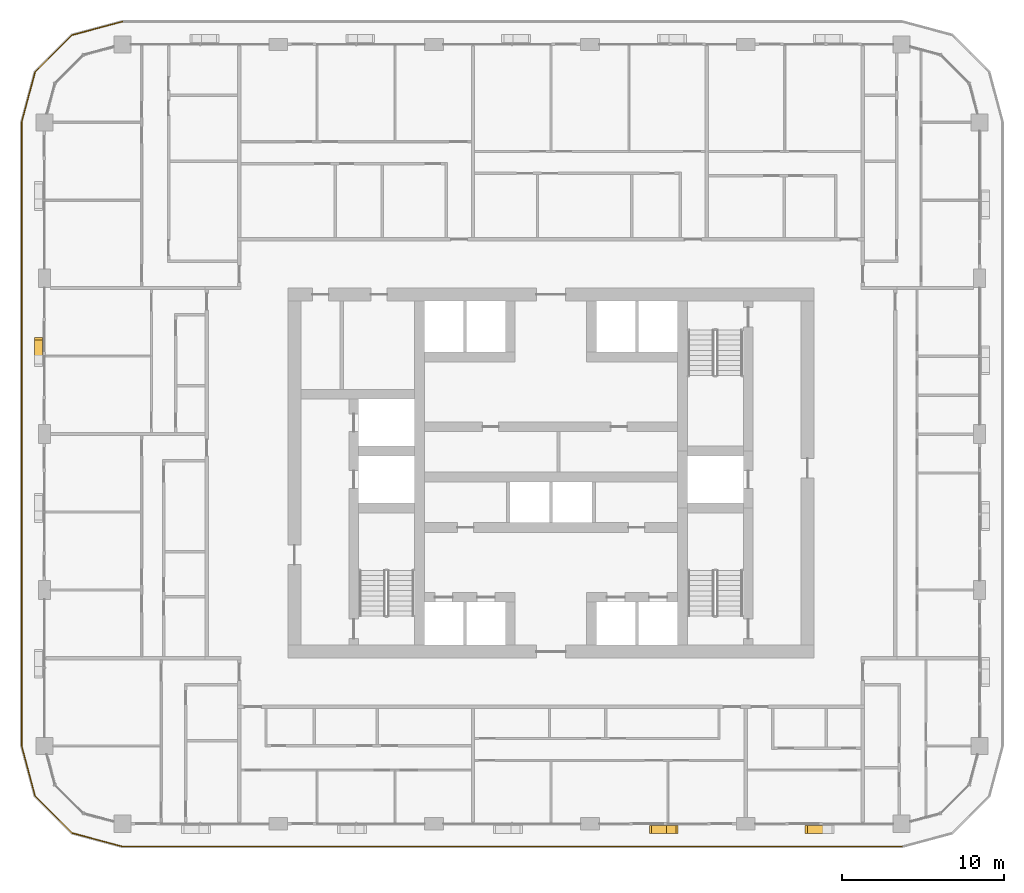
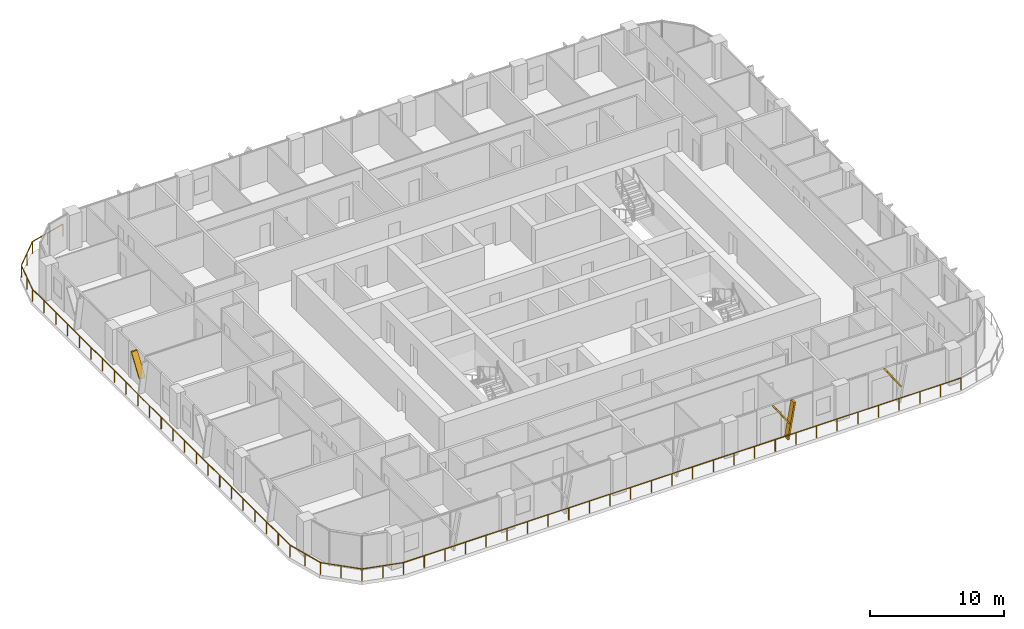
# One storey, part 18 of 22: 4 shading devices, 1 railing.
"""IFC4 building model written with IfcOpenShell, lengths in metres."""

import ifcopenshell
import ifcopenshell.guid

model = None  # the IFC model being written
_history = None  # IfcOwnerHistory: only IFC2X3 demands one
_inside = {}  # id of a spatial element -> (the spatial element, [elements in it])
_under = {}  # id of a project, library or spatial element -> (it, [spatial elements below it])
_declared = {}  # id of a project -> (the project, [libraries it declares])
_typed = {}  # id of a type object -> (the type object, [elements of that type])
_made_of = {}  # id of a material, layer set ... -> (it, [elements and type objects made of it])


def new_model(schema):
    """Start an empty IFC model of exactly this schema.

    Asked for "IFC4X3", IfcOpenShell would pick the latest addendum, in which some entities
    have other attributes; the version numbers below select the first issue.
    IFC2X3 requires an IfcOwnerHistory on every rooted entity: one is made here for all.
    """
    global model, _history
    if schema == "IFC4X3":
        model = ifcopenshell.file(schema_version=(4, 3, 0, 0))
    else:
        model = ifcopenshell.file(schema=schema)
    _inside.clear()
    _under.clear()
    _declared.clear()
    _typed.clear()
    _made_of.clear()
    _history = None
    if model.schema == "IFC2X3":
        org = make("IfcOrganization", Name="unknown")
        user = make(
            "IfcPersonAndOrganization",
            ThePerson=make("IfcPerson", FamilyName="unknown"),
            TheOrganization=org,
        )
        app = make(
            "IfcApplication",
            ApplicationDeveloper=org,
            Version="unknown",
            ApplicationFullName="unknown",
            ApplicationIdentifier="unknown",
        )
        _history = make(
            "IfcOwnerHistory",
            OwningUser=user,
            OwningApplication=app,
            ChangeAction="ADDED",
            CreationDate=0,
        )
    return model


def make(cls, **values):
    """One entity of the class cls with the attributes given. An attribute that is None is left unset."""
    return model.create_entity(
        cls, **{name: value for name, value in values.items() if value is not None}
    )


def rooted(cls, **values):
    """An entity with a GlobalId (a new one), such as an element, a storey or a relation."""
    return make(cls, GlobalId=ifcopenshell.guid.new(), OwnerHistory=_history, **values)


def si_unit(unit_type, name, prefix=None):
    """IfcSIUnit, for example si_unit("LENGTHUNIT", "METRE", prefix="MILLI")."""
    return make("IfcSIUnit", UnitType=unit_type, Prefix=prefix, Name=name)


def assignment(units):
    """IfcUnitAssignment: the units of a project."""
    return None if units is None else make("IfcUnitAssignment", Units=units)


def point(xyz):
    """IfcCartesianPoint."""
    return None if xyz is None else make("IfcCartesianPoint", Coordinates=xyz)


def direction(xyz):
    """IfcDirection."""
    return None if xyz is None else make("IfcDirection", DirectionRatios=xyz)


def frame(location, z_axis=None, x_axis=None):
    """IfcAxis2Placement3D, a coordinate frame: its origin and axes. An axis left out is left unset."""
    return make(
        "IfcAxis2Placement3D",
        Location=point(location),
        Axis=direction(z_axis),
        RefDirection=direction(x_axis),
    )


def frame_2d(location, x_axis=None):
    """IfcAxis2Placement2D, a coordinate frame in the plane: its origin and x axis."""
    return make(
        "IfcAxis2Placement2D", Location=point(location), RefDirection=direction(x_axis)
    )


def origin():
    """The frame at (0, 0, 0) with its axes left unset."""
    return frame((0.0, 0.0, 0.0))


def origin_2d():
    """The frame at (0, 0) in the plane with its x axis left unset."""
    return frame_2d((0.0, 0.0))


def place(relative_to, where):
    """IfcLocalPlacement: puts the frame where relative to a parent placement (None: the world)."""
    return make(
        "IfcLocalPlacement", PlacementRelTo=relative_to, RelativePlacement=where
    )


def context(
    kind, dimensions, precision=None, world=None, true_north=None, identifier=None
):
    """IfcGeometricRepresentationContext, for example the 3D "Model" context."""
    return make(
        "IfcGeometricRepresentationContext",
        ContextIdentifier=identifier,
        ContextType=kind,
        CoordinateSpaceDimension=dimensions,
        Precision=precision,
        WorldCoordinateSystem=world,
        TrueNorth=true_north,
    )


def subcontext(parent, identifier, kind, view, scale=None):
    """IfcGeometricRepresentationSubContext, for example "Body" below "Model"."""
    return make(
        "IfcGeometricRepresentationSubContext",
        ContextIdentifier=identifier,
        ContextType=kind,
        ParentContext=parent,
        TargetScale=scale,
        TargetView=view,
    )


def project(units=None, contexts=None):
    """IfcProject with its units and contexts."""
    return rooted(
        "IfcProject",
        Name="project",
        RepresentationContexts=contexts,
        UnitsInContext=assignment(units),
    )


def spatial(cls, under=None, at=None, **own):
    """A site, building, storey or space (cls), placed at a placement, below another one or the project."""
    s = rooted(cls, ObjectPlacement=at, **own)
    if under is not None:
        _under.setdefault(under.id(), (under, []))[1].append(s)
    return s


def polyline(points):
    """IfcPolyline through the points."""
    return make("IfcPolyline", Points=[point(p) for p in points])


def profile(cls, at=None, kind="AREA", **sizes):
    """A parametric profile (cls). Its sizes go by their IFC names, for example OverallWidth=200.0."""
    return make(cls, ProfileType=kind, Position=at, **sizes)


def circle(**sizes):
    """IfcCircleProfileDef."""
    return profile("IfcCircleProfileDef", **sizes)


def outline(outer, holes=None, kind="AREA"):
    """IfcArbitraryClosedProfileDef: a profile drawn as a closed curve; with holes, ...WithVoids."""
    if holes is None:
        return make("IfcArbitraryClosedProfileDef", ProfileType=kind, OuterCurve=outer)
    return make(
        "IfcArbitraryProfileDefWithVoids",
        ProfileType=kind,
        OuterCurve=outer,
        InnerCurves=holes,
    )


def extrude(swept, where, along, depth):
    """IfcExtrudedAreaSolid: the profile swept, set in the frame where, extruded along a direction by depth."""
    return make(
        "IfcExtrudedAreaSolid",
        SweptArea=swept,
        Position=where,
        ExtrudedDirection=direction(along),
        Depth=depth,
    )


def shape(context_of_items, identifier, shape_type, items):
    """IfcShapeRepresentation: the items that make up one representation, for example the "Body"."""
    return make(
        "IfcShapeRepresentation",
        ContextOfItems=context_of_items,
        RepresentationIdentifier=identifier,
        RepresentationType=shape_type,
        Items=items,
    )


def material(Name=None, Category=None):
    """IfcMaterial."""
    return make("IfcMaterial", Name=Name, Category=Category)


def made_of(thing, what):
    """Note that an element or type object is made of a material, layer set ...; save() writes the relation."""
    if what is not None:
        _made_of.setdefault(what.id(), (what, []))[1].append(thing)
    return thing


def type_object(cls, material=None, **own):
    """A type object (cls), such as IfcWallType, which elements share."""
    return made_of(rooted(cls, **own), material)


def element(
    cls,
    number,
    at=None,
    inside=None,
    cuts=None,
    type_object=None,
    material=None,
    context=None,
    identifier="Body",
    shape_type=None,
    held_by="IfcProductDefinitionShape",
    body=None,
    shapes=None,
    **own,
):
    """One element of the class cls, such as IfcWall. Its Tag is "e" and its number.

    at: its placement. inside: the storey or other place that contains it. cuts: it is an
    opening in that element (IfcRelVoidsElement). A single representation is given by context,
    identifier, shape_type and body (its items); several are given by shapes. held_by: the class
    of the entity that holds the representations. save() writes the other relations.
    """
    e = rooted(cls, Tag="e%d" % number, ObjectPlacement=at, **own)
    if body is not None:
        shapes = [shape(context, identifier, shape_type, body)]
    if shapes is not None:
        e.Representation = make(held_by, Representations=shapes)
    if inside is not None:
        _inside.setdefault(inside.id(), (inside, []))[1].append(e)
    if cuts is not None:
        rooted(
            "IfcRelVoidsElement", RelatingBuildingElement=cuts, RelatedOpeningElement=e
        )
    if type_object is not None:
        _typed.setdefault(type_object.id(), (type_object, []))[1].append(e)
    return made_of(e, material)


def aggregate(whole, parts):
    """IfcRelAggregates: a whole, such as a stair, and the parts it consists of."""
    return rooted("IfcRelAggregates", RelatingObject=whole, RelatedObjects=parts)


def save(model, path):
    """Write the relations noted so far, then the file.

    IfcRelAggregates (storeys below a building ...), IfcRelContainedInSpatialStructure (elements
    in a storey), IfcRelDefinesByType, IfcRelAssociatesMaterial and IfcRelDeclares: one each for
    every whole, place, type object, material and project.
    """
    for whole, parts in _under.values():
        aggregate(whole, parts)
    for where, things in _inside.values():
        rooted(
            "IfcRelContainedInSpatialStructure",
            RelatedElements=things,
            RelatingStructure=where,
        )
    for kind, things in _typed.values():
        rooted("IfcRelDefinesByType", RelatedObjects=things, RelatingType=kind)
    for what, things in _made_of.values():
        rooted("IfcRelAssociatesMaterial", RelatedObjects=things, RelatingMaterial=what)
    for by, libraries in _declared.values():
        rooted("IfcRelDeclares", RelatingContext=by, RelatedDefinitions=libraries)
    model.write(path)


model = new_model("IFC4")

# Units and contexts
model_context = context("Model", 3, precision=1e-05, world=origin(), true_north=direction((0.0, 1.0)))
body_context = subcontext(model_context, "Body", "Model", "MODEL_VIEW")
ifc_project = project(units=[si_unit("LENGTHUNIT", "METRE"), si_unit("AREAUNIT", "SQUARE_METRE"), si_unit("VOLUMEUNIT", "CUBIC_METRE"), si_unit("PLANEANGLEUNIT", "RADIAN"), si_unit("MASSUNIT", "GRAM", prefix="KILO")], contexts=[model_context])

# Site, building, storey
site_placement = place(None, origin())
site = spatial("IfcSite", under=ifc_project, at=site_placement, CompositionType="ELEMENT")
building_placement = place(site_placement, origin())
building = spatial("IfcBuilding", under=site, at=building_placement, Name="Madar Terraces", CompositionType="ELEMENT")
storey_placement = place(building_placement, frame((0.0, 0.0, 119.10009765625)))
storey = spatial("IfcBuildingStorey", under=building, at=storey_placement, Name="L30", CompositionType="ELEMENT", Elevation=119.10009765625)

# Railing
ifc_material_1 = material(Name="Glass, safety glazing, with stainless steel posts", Category="steel")
railing_type = type_object("IfcRailingType", Name="Balcony glass guard 1100", PredefinedType="GUARDRAIL", material=ifc_material_1)
railing_placement = place(storey_placement, frame((4.800048828125, 54.199951171875, 0.0)))
element("IfcRailing", 1, at=railing_placement, inside=storey, type_object=railing_type, Name="Balcony guard", PredefinedType="GUARDRAIL", context=body_context, shape_type="SweptSolid", body=[
    extrude(circle(Radius=0.02392578125, at=origin_2d()), frame((0.0, 0.0, 1.076171875), z_axis=(-0.9659337912, -0.258789317819, 0.0), x_axis=(0.258789317819, -0.9659337912, 0.0)), (0.0, 0.0, 1.0), 3.20947265625),
    extrude(circle(Radius=0.02392578125, at=origin_2d()), frame((-3.10009765625, -0.83056640625, 1.076171875), z_axis=(-0.707106781187, -0.707106781187, 0.0), x_axis=(0.707106781187, -0.707106781187, 0.0)), (0.0, 0.0, 1.0), 3.209228515625),
    extrude(circle(Radius=0.02392578125, at=origin_2d()), frame((-5.369384765625, -3.099853515625, 1.076171875), z_axis=(-0.258789317819, -0.9659337912, 0.0), x_axis=(0.9659337912, -0.258789317819, 0.0)), (0.0, 0.0, 1.0), 3.20947265625),
    extrude(circle(Radius=0.02392578125, at=origin_2d()), frame((-6.199951171875, -6.199951171875, 1.076171875), z_axis=(0.0, -1.0, 0.0), x_axis=(1.0, 0.0, 0.0)), (0.0, 0.0, 1.0), 38.39990234375),
    extrude(circle(Radius=0.02392578125, at=origin_2d()), frame((-6.199951171875, -44.599853515625, 1.076171875), z_axis=(0.258789317819, -0.9659337912, 0.0), x_axis=(0.9659337912, 0.258789317819, 0.0)), (0.0, 0.0, 1.0), 3.20947265625),
    extrude(circle(Radius=0.02392578125, at=origin_2d()), frame((-5.369384765625, -47.699951171875, 1.076171875), z_axis=(0.707106781187, -0.707106781187, 0.0), x_axis=(0.707106781187, 0.707106781187, 0.0)), (0.0, 0.0, 1.0), 3.209228515625),
    extrude(circle(Radius=0.02392578125, at=origin_2d()), frame((-3.10009765625, -49.96923828125, 1.076171875), z_axis=(0.965914773555, -0.258860290944, 0.0), x_axis=(0.258860290944, 0.965914773555, 0.0)), (0.0, 0.0, 1.0), 3.20947265625),
    extrude(circle(Radius=0.02392578125, at=origin_2d()), frame((0.0, -50.800048828125, 1.076171875), z_axis=(1.0, 0.0, 0.0), x_axis=(0.0, 1.0, 0.0)), (0.0, 0.0, 1.0), 48.0),
    extrude(circle(Radius=0.02099609375, at=origin_2d()), origin(), (0.0, 0.0, 1.0), 1.052001953125),
    extrude(circle(Radius=0.02099609375, at=origin_2d()), frame((-1.550048828125, -0.415283203125, 0.0)), (0.0, 0.0, 1.0), 1.052001953125),
    extrude(circle(Radius=0.02099609375, at=origin_2d()), frame((-3.10009765625, -0.83056640625, 0.0)), (0.0, 0.0, 1.0), 1.052001953125),
    extrude(circle(Radius=0.02099609375, at=origin_2d()), frame((-4.23486328125, -1.96533203125, 0.0)), (0.0, 0.0, 1.0), 1.052001953125),
    extrude(circle(Radius=0.02099609375, at=origin_2d()), frame((-5.369384765625, -3.099853515625, 0.0)), (0.0, 0.0, 1.0), 1.052001953125),
    extrude(circle(Radius=0.02099609375, at=origin_2d()), frame((-5.78466796875, -4.64990234375, 0.0)), (0.0, 0.0, 1.0), 1.052001953125),
    extrude(circle(Radius=0.02099609375, at=origin_2d()), frame((-6.199951171875, -6.199951171875, 0.0)), (0.0, 0.0, 1.0), 1.052001953125),
    extrude(circle(Radius=0.02099609375, at=origin_2d()), frame((-6.199951171875, -7.9453125, 0.0)), (0.0, 0.0, 1.0), 1.052001953125),
    extrude(circle(Radius=0.02099609375, at=origin_2d()), frame((-6.199951171875, -9.69091796875, 0.0)), (0.0, 0.0, 1.0), 1.052001953125),
    extrude(circle(Radius=0.02099609375, at=origin_2d()), frame((-6.199951171875, -11.436279296875, 0.0)), (0.0, 0.0, 1.0), 1.052001953125),
    extrude(circle(Radius=0.02099609375, at=origin_2d()), frame((-6.199951171875, -13.181640625, 0.0)), (0.0, 0.0, 1.0), 1.052001953125),
    extrude(circle(Radius=0.02099609375, at=origin_2d()), frame((-6.199951171875, -14.92724609375, 0.0)), (0.0, 0.0, 1.0), 1.052001953125),
    extrude(circle(Radius=0.02099609375, at=origin_2d()), frame((-6.199951171875, -16.672607421875, 0.0)), (0.0, 0.0, 1.0), 1.052001953125),
    extrude(circle(Radius=0.02099609375, at=origin_2d()), frame((-6.199951171875, -18.418212890625, 0.0)), (0.0, 0.0, 1.0), 1.052001953125),
    extrude(circle(Radius=0.02099609375, at=origin_2d()), frame((-6.199951171875, -20.16357421875, 0.0)), (0.0, 0.0, 1.0), 1.052001953125),
    extrude(circle(Radius=0.02099609375, at=origin_2d()), frame((-6.199951171875, -21.908935546875, 0.0)), (0.0, 0.0, 1.0), 1.052001953125),
    extrude(circle(Radius=0.02099609375, at=origin_2d()), frame((-6.199951171875, -23.654541015625, 0.0)), (0.0, 0.0, 1.0), 1.052001953125),
    extrude(circle(Radius=0.02099609375, at=origin_2d()), frame((-6.199951171875, -25.39990234375, 0.0)), (0.0, 0.0, 1.0), 1.052001953125),
    extrude(circle(Radius=0.02099609375, at=origin_2d()), frame((-6.199951171875, -27.145263671875, 0.0)), (0.0, 0.0, 1.0), 1.052001953125),
    extrude(circle(Radius=0.02099609375, at=origin_2d()), frame((-6.199951171875, -28.890869140625, 0.0)), (0.0, 0.0, 1.0), 1.052001953125),
    extrude(circle(Radius=0.02099609375, at=origin_2d()), frame((-6.199951171875, -30.63623046875, 0.0)), (0.0, 0.0, 1.0), 1.052001953125),
    extrude(circle(Radius=0.02099609375, at=origin_2d()), frame((-6.199951171875, -32.381591796875, 0.0)), (0.0, 0.0, 1.0), 1.052001953125),
    extrude(circle(Radius=0.02099609375, at=origin_2d()), frame((-6.199951171875, -34.127197265625, 0.0)), (0.0, 0.0, 1.0), 1.052001953125),
    extrude(circle(Radius=0.02099609375, at=origin_2d()), frame((-6.199951171875, -35.87255859375, 0.0)), (0.0, 0.0, 1.0), 1.052001953125),
    extrude(circle(Radius=0.02099609375, at=origin_2d()), frame((-6.199951171875, -37.6181640625, 0.0)), (0.0, 0.0, 1.0), 1.052001953125),
    extrude(circle(Radius=0.02099609375, at=origin_2d()), frame((-6.199951171875, -39.363525390625, 0.0)), (0.0, 0.0, 1.0), 1.052001953125),
    extrude(circle(Radius=0.02099609375, at=origin_2d()), frame((-6.199951171875, -41.10888671875, 0.0)), (0.0, 0.0, 1.0), 1.052001953125),
    extrude(circle(Radius=0.02099609375, at=origin_2d()), frame((-6.199951171875, -42.8544921875, 0.0)), (0.0, 0.0, 1.0), 1.052001953125),
    extrude(circle(Radius=0.02099609375, at=origin_2d()), frame((-6.199951171875, -44.599853515625, 0.0)), (0.0, 0.0, 1.0), 1.052001953125),
    extrude(circle(Radius=0.02099609375, at=origin_2d()), frame((-5.78466796875, -46.14990234375, 0.0)), (0.0, 0.0, 1.0), 1.052001953125),
    extrude(circle(Radius=0.02099609375, at=origin_2d()), frame((-5.369384765625, -47.699951171875, 0.0)), (0.0, 0.0, 1.0), 1.052001953125),
    extrude(circle(Radius=0.02099609375, at=origin_2d()), frame((-4.23486328125, -48.83447265625, 0.0)), (0.0, 0.0, 1.0), 1.052001953125),
    extrude(circle(Radius=0.02099609375, at=origin_2d()), frame((-3.10009765625, -49.96923828125, 0.0)), (0.0, 0.0, 1.0), 1.052001953125),
    extrude(circle(Radius=0.02099609375, at=origin_2d()), frame((-1.550048828125, -50.384765625, 0.0)), (0.0, 0.0, 1.0), 1.052001953125),
    extrude(circle(Radius=0.02099609375, at=origin_2d()), frame((0.0, -50.800048828125, 0.0)), (0.0, 0.0, 1.0), 1.052001953125),
    extrude(circle(Radius=0.02099609375, at=origin_2d()), frame((1.77783203125, -50.800048828125, 0.0)), (0.0, 0.0, 1.0), 1.052001953125),
    extrude(circle(Radius=0.02099609375, at=origin_2d()), frame((3.5556640625, -50.800048828125, 0.0)), (0.0, 0.0, 1.0), 1.052001953125),
    extrude(circle(Radius=0.02099609375, at=origin_2d()), frame((5.333251953125, -50.800048828125, 0.0)), (0.0, 0.0, 1.0), 1.052001953125),
    extrude(circle(Radius=0.02099609375, at=origin_2d()), frame((7.111083984375, -50.800048828125, 0.0)), (0.0, 0.0, 1.0), 1.052001953125),
    extrude(circle(Radius=0.02099609375, at=origin_2d()), frame((8.888916015625, -50.800048828125, 0.0)), (0.0, 0.0, 1.0), 1.052001953125),
    extrude(circle(Radius=0.02099609375, at=origin_2d()), frame((10.666748046875, -50.800048828125, 0.0)), (0.0, 0.0, 1.0), 1.052001953125),
    extrude(circle(Radius=0.02099609375, at=origin_2d()), frame((12.4443359375, -50.800048828125, 0.0)), (0.0, 0.0, 1.0), 1.052001953125),
    extrude(circle(Radius=0.02099609375, at=origin_2d()), frame((14.22216796875, -50.800048828125, 0.0)), (0.0, 0.0, 1.0), 1.052001953125),
    extrude(circle(Radius=0.02099609375, at=origin_2d()), frame((16.0, -50.800048828125, 0.0)), (0.0, 0.0, 1.0), 1.052001953125),
    extrude(circle(Radius=0.02099609375, at=origin_2d()), frame((17.77783203125, -50.800048828125, 0.0)), (0.0, 0.0, 1.0), 1.052001953125),
    extrude(circle(Radius=0.02099609375, at=origin_2d()), frame((19.5556640625, -50.800048828125, 0.0)), (0.0, 0.0, 1.0), 1.052001953125),
    extrude(circle(Radius=0.02099609375, at=origin_2d()), frame((21.333251953125, -50.800048828125, 0.0)), (0.0, 0.0, 1.0), 1.052001953125),
    extrude(circle(Radius=0.02099609375, at=origin_2d()), frame((23.111083984375, -50.800048828125, 0.0)), (0.0, 0.0, 1.0), 1.052001953125),
    extrude(circle(Radius=0.02099609375, at=origin_2d()), frame((24.888916015625, -50.800048828125, 0.0)), (0.0, 0.0, 1.0), 1.052001953125),
    extrude(circle(Radius=0.02099609375, at=origin_2d()), frame((26.666748046875, -50.800048828125, 0.0)), (0.0, 0.0, 1.0), 1.052001953125),
    extrude(circle(Radius=0.02099609375, at=origin_2d()), frame((28.4443359375, -50.800048828125, 0.0)), (0.0, 0.0, 1.0), 1.052001953125),
    extrude(circle(Radius=0.02099609375, at=origin_2d()), frame((30.22216796875, -50.800048828125, 0.0)), (0.0, 0.0, 1.0), 1.052001953125),
    extrude(circle(Radius=0.02099609375, at=origin_2d()), frame((32.0, -50.800048828125, 0.0)), (0.0, 0.0, 1.0), 1.052001953125),
    extrude(circle(Radius=0.02099609375, at=origin_2d()), frame((33.77783203125, -50.800048828125, 0.0)), (0.0, 0.0, 1.0), 1.052001953125),
    extrude(circle(Radius=0.02099609375, at=origin_2d()), frame((35.5556640625, -50.800048828125, 0.0)), (0.0, 0.0, 1.0), 1.052001953125),
    extrude(circle(Radius=0.02099609375, at=origin_2d()), frame((37.333251953125, -50.800048828125, 0.0)), (0.0, 0.0, 1.0), 1.052001953125),
    extrude(circle(Radius=0.02099609375, at=origin_2d()), frame((39.111083984375, -50.800048828125, 0.0)), (0.0, 0.0, 1.0), 1.052001953125),
    extrude(circle(Radius=0.02099609375, at=origin_2d()), frame((40.888916015625, -50.800048828125, 0.0)), (0.0, 0.0, 1.0), 1.052001953125),
    extrude(circle(Radius=0.02099609375, at=origin_2d()), frame((42.666748046875, -50.800048828125, 0.0)), (0.0, 0.0, 1.0), 1.052001953125),
    extrude(circle(Radius=0.02099609375, at=origin_2d()), frame((44.4443359375, -50.800048828125, 0.0)), (0.0, 0.0, 1.0), 1.052001953125),
    extrude(circle(Radius=0.02099609375, at=origin_2d()), frame((46.22216796875, -50.800048828125, 0.0)), (0.0, 0.0, 1.0), 1.052001953125),
    extrude(circle(Radius=0.02099609375, at=origin_2d()), frame((48.0, -50.800048828125, 0.0)), (0.0, 0.0, 1.0), 1.052001953125),
])

# Shading devices
ifc_material_2 = material(Name="Aluminium, black anodised", Category="aluminium")
shading_device_type = type_object("IfcShadingDeviceType", Name="Facade fin blade 140 x 500", PredefinedType="USERDEFINED", material=ifc_material_2)
shading_device_1_placement = place(storey_placement, frame((38.330078125, 4.449951171875, 0.0), z_axis=(0.0, 0.0, 1.0), x_axis=(1.0, 0.0, 0.0)))
element("IfcShadingDevice", 2, at=shading_device_1_placement, inside=storey, type_object=shading_device_type, Name="FIN L30 S4", ObjectType="FIN", PredefinedType="USERDEFINED", context=body_context, shape_type="SweptSolid", body=[
    extrude(outline(polyline([(0.0, 0.0), (0.139892578125, 0.0), (0.704345703125, 3.199951171875), (0.564208984375, 3.199951171875), (0.0, 0.0)])), frame((0.0, 0.25, 0.0), z_axis=(0.0, -1.0, 0.0), x_axis=(1.0, 0.0, 0.0)), (0.0, 0.0, 1.0), 0.5),
])
shading_device_2_placement = place(storey_placement, frame((38.44384765625, 4.449951171875, 1.43994140625), z_axis=(0.0, 0.0, 1.0), x_axis=(1.0, 0.0, 0.0)))
element("IfcShadingDevice", 3, at=shading_device_2_placement, inside=storey, type_object=shading_device_type, Name="FIN L30 S4 branch", ObjectType="FIN", PredefinedType="USERDEFINED", context=body_context, shape_type="SweptSolid", body=[
    extrude(outline(polyline([(0.0, 0.0), (0.14013671875, 0.0), (-1.049560546875, 1.760009765625), (-1.189697265625, 1.760009765625), (0.0, 0.0)])), frame((0.0, 0.25, 0.0), z_axis=(0.0, -1.0, 0.0), x_axis=(1.0, 0.0, 0.0)), (0.0, 0.0, 1.0), 0.5),
])
shading_device_3_placement = place(storey_placement, frame((48.0439453125, 4.449951171875, 1.43994140625), z_axis=(0.0, 0.0, 1.0), x_axis=(1.0, 0.0, 0.0)))
element("IfcShadingDevice", 4, at=shading_device_3_placement, inside=storey, type_object=shading_device_type, Name="FIN L30 S5 branch", ObjectType="FIN", PredefinedType="USERDEFINED", context=body_context, shape_type="SweptSolid", body=[
    extrude(outline(polyline([(0.0, 0.0), (0.139892578125, 0.0), (-1.049560546875, 1.760009765625), (-1.189697265625, 1.760009765625), (0.0, 0.0)])), frame((0.0, 0.25, 0.0), z_axis=(0.0, -1.0, 0.0), x_axis=(1.0, 0.0, 0.0)), (0.0, 0.0, 1.0), 0.5),
])
shading_device_4_placement = place(storey_placement, frame((-0.35009765625, 33.55615234375, 1.43994140625), z_axis=(0.0, 0.0, 1.0), x_axis=(0.0, -1.0, 0.0)))
element("IfcShadingDevice", 5, at=shading_device_4_placement, inside=storey, type_object=shading_device_type, Name="FIN L30 W2 branch", ObjectType="FIN", PredefinedType="USERDEFINED", context=body_context, shape_type="SweptSolid", body=[
    extrude(outline(polyline([(0.0, 0.0), (0.14013671875, 0.0), (-1.049560546875, 1.760009765625), (-1.189697265625, 1.760009765625), (0.0, 0.0)])), frame((0.0, 0.25, 0.0), z_axis=(0.0, -1.0, 0.0), x_axis=(1.0, 0.0, 0.0)), (0.0, 0.0, 1.0), 0.5),
])

save(model, "model.ifc")
